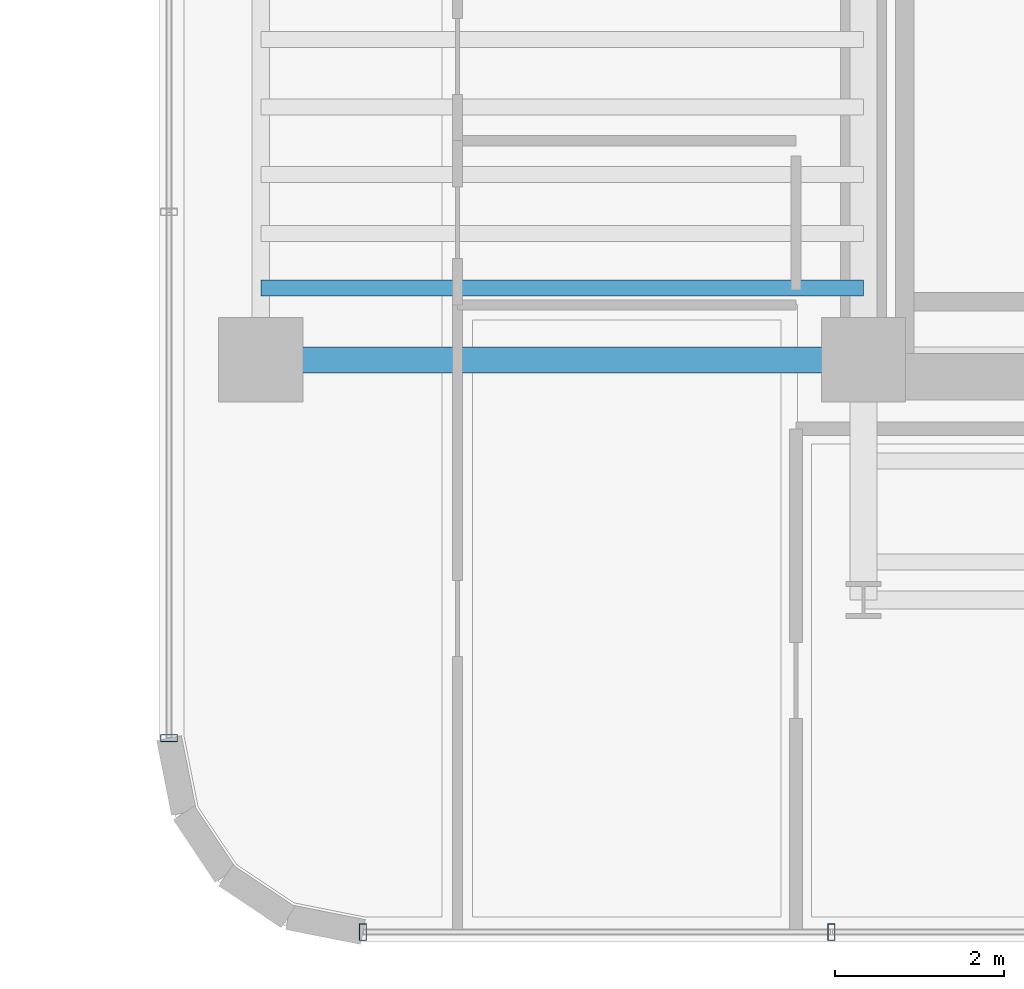
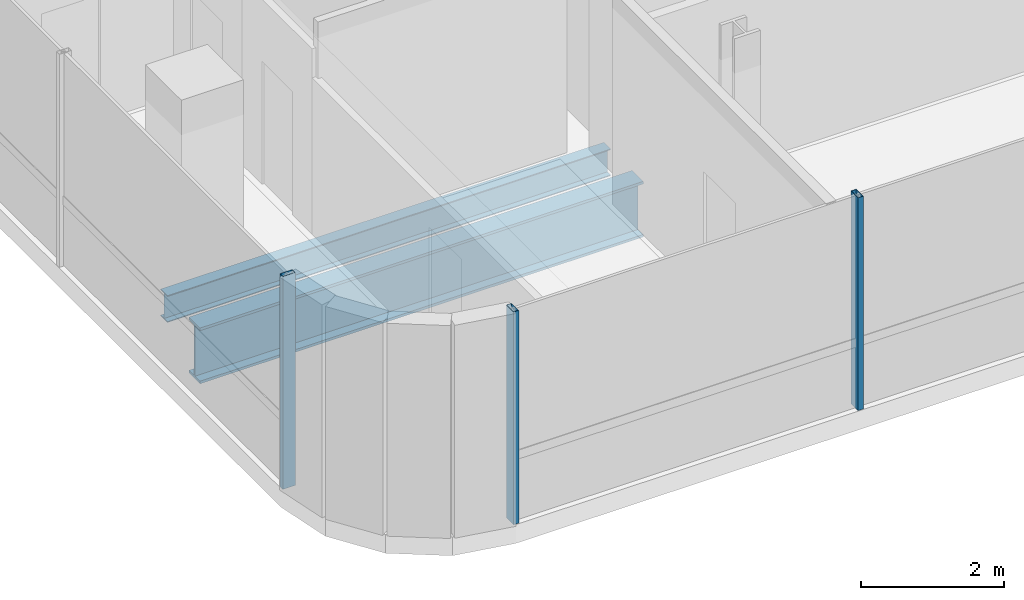
# One storey, part 2 of 38: 3 members, 2 beams, 2 elements without a shape of their own.
"""IFC4 building model written with IfcOpenShell, lengths in metres."""

from ifc_helpers import new_model, si_unit, direction, frame, origin, origin_2d, place, context, subcontext, project, spatial, hollow_rectangle, i_section, extrude, source, transform, mapped, material, material_profile, profile_set, type_object, element, aggregate, save


model = new_model("IFC4")

# Units and contexts
model_context = context("Model", 3, precision=1e-05, world=origin(), true_north=direction((0.0, 1.0)))
body_context = subcontext(model_context, "Body", "Model", "MODEL_VIEW")
ifc_project = project(units=[si_unit("LENGTHUNIT", "METRE"), si_unit("AREAUNIT", "SQUARE_METRE"), si_unit("VOLUMEUNIT", "CUBIC_METRE"), si_unit("PLANEANGLEUNIT", "RADIAN"), si_unit("MASSUNIT", "GRAM", prefix="KILO")], contexts=[model_context])

# Site, building, storey
site_placement = place(None, origin())
site = spatial("IfcSite", under=ifc_project, at=site_placement, CompositionType="ELEMENT")
building_placement = place(site_placement, origin())
building = spatial("IfcBuilding", under=site, at=building_placement, Name="Valdorenza Pilgrim Sanctuary Tower", CompositionType="ELEMENT")
storey_placement = place(building_placement, frame((0.0, 0.0, 180.5)))
storey = spatial("IfcBuildingStorey", under=building, at=storey_placement, Name="L46", CompositionType="ELEMENT", Elevation=180.5)

# Beams
ifc_material_1 = material(Name="Steel ASTM A992 Grade 50", Category="steel")
ifc_material_profile_1 = material_profile(ifc_material_1, i_section(OverallWidth=0.19091796875, OverallDepth=0.45703125, WebThickness=0.009033203125, FlangeThickness=0.014404296875, at=origin_2d()), Name="W18X50")
ifc_profile_set_1 = profile_set([ifc_material_profile_1], Name="Steel ASTM A992 Grade 50")
beam_type_1 = type_object("IfcBeamType", Name="STR-BM-JST-W18B", PredefinedType="JOIST", material=ifc_profile_set_1)
shared_shape_1 = source(origin(), body_context, "Body", "SweptSolid", [
    extrude(i_section(OverallWidth=0.19091796875, OverallDepth=0.45703125, WebThickness=0.009033203125, FlangeThickness=0.014404296875, at=origin_2d()), origin(), (0.0, 0.0, 1.0), 7.150146484375),
])
beam_1_placement = place(storey_placement, frame((-29.800048828125, -9.75, -0.548583984375), z_axis=(1.0, 0.0, 0.0), x_axis=(0.0, 1.0, 0.0)))
element("IfcBeam", 1, at=beam_1_placement, inside=storey, type_object=beam_type_1, Name="L46 Composite Floor Joist JST-WA-1", PredefinedType="JOIST", context=body_context, shape_type="MappedRepresentation", body=[
    mapped(shared_shape_1, transform((0.0, 0.0, 0.0), x_axis=(1.0, 0.0, 0.0), y_axis=(0.0, 1.0, 0.0), z_axis=(0.0, 0.0, 1.0), scale=1.0)),
])
ifc_material_profile_2 = material_profile(ifc_material_1, i_section(OverallWidth=0.31005859375, OverallDepth=0.949951171875, WebThickness=0.0244140625, FlangeThickness=0.0439453125, at=origin_2d()), Name="W36X256")
ifc_profile_set_2 = profile_set([ifc_material_profile_2], Name="Steel ASTM A992 Grade 50")
beam_type_2 = type_object("IfcBeamType", Name="STR-BM-GRD-W36B", PredefinedType="BEAM", material=ifc_profile_set_2)
shared_shape_2 = source(origin(), body_context, "Body", "SweptSolid", [
    extrude(i_section(OverallWidth=0.31005859375, OverallDepth=0.949951171875, WebThickness=0.0244140625, FlangeThickness=0.0439453125, at=origin_2d()), origin(), (0.0, 0.0, 1.0), 7.150146484375),
])
beam_2_placement = place(storey_placement, frame((-29.800048828125, -10.60009765625, -0.794921875), z_axis=(1.0, 0.0, 0.0), x_axis=(0.0, 1.0, 0.0)))
element("IfcBeam", 2, at=beam_2_placement, inside=storey, type_object=beam_type_2, Name="L46 Floor Girder WA-XW-S1", PredefinedType="BEAM", context=body_context, shape_type="MappedRepresentation", body=[
    mapped(shared_shape_2, transform((0.0, 0.0, 0.0), x_axis=(1.0, 0.0, 0.0), y_axis=(0.0, 1.0, 0.0), z_axis=(0.0, 0.0, 1.0), scale=1.0)),
])

# Curtain wall, member
ifc_material_2 = material(Name="Curtain-wall IGU glazing", Category="glass")
curtain_wall_type = type_object("IfcCurtainWallType", Name="CW-SYS-02", PredefinedType="NOTDEFINED", material=ifc_material_2)
curtain_wall_1_placement = place(storey_placement, origin())
curtain_wall_1 = element("IfcCurtainWall", 3, at=curtain_wall_1_placement, inside=storey, type_object=curtain_wall_type, Name="L46 Curtain Wall CW-L46-1-1S1", PredefinedType="NOTDEFINED")
ifc_material_3 = material(Name="Anodised aluminium AW-6060", Category="aluminium")
ifc_material_profile_3 = material_profile(ifc_material_3, hollow_rectangle(XDim=0.0849609375, YDim=0.199951171875, WallThickness=0.0048828125, at=origin_2d()), Name="ALU-M 200x85x5")
ifc_profile_set_3 = profile_set([ifc_material_profile_3], Name="Anodised aluminium AW-6060")
member_type = type_object("IfcMemberType", Name="CW-MUL-02", PredefinedType="MULLION", material=ifc_profile_set_3)
shared_shape_3 = source(origin(), body_context, "Body", "SweptSolid", [
    extrude(hollow_rectangle(XDim=0.0849609375, YDim=0.199951171875, WallThickness=0.0048828125, at=origin_2d()), origin(), (0.0, 0.0, 1.0), 3.6298828125),
])
member_1_placement = place(storey_placement, frame((-30.889892578125, -15.089111328125, 0.0), z_axis=(0.0, 0.0, 1.0), x_axis=(0.0, 1.0, 0.0)))
member_1 = element("IfcMember", 4, at=member_1_placement, type_object=member_type, Name="CW-L46-1-1S1 Mullion 1", PredefinedType="MULLION", context=body_context, shape_type="MappedRepresentation", body=[
    mapped(shared_shape_3, transform((0.0, 0.0, 0.0), x_axis=(1.0, 0.0, 0.0), y_axis=(0.0, 1.0, 0.0), z_axis=(0.0, 0.0, 1.0), scale=1.0)),
])
aggregate(curtain_wall_1, [member_1])

# Curtain wall, members
curtain_wall_2_placement = place(storey_placement, origin())
curtain_wall_2 = element("IfcCurtainWall", 5, at=curtain_wall_2_placement, inside=storey, type_object=curtain_wall_type, Name="L46 Curtain Wall CW-L46-1-82", PredefinedType="NOTDEFINED")
member_2_placement = place(storey_placement, frame((-23.02978515625, -17.389892578125, 0.0), z_axis=(0.0, 0.0, 1.0), x_axis=(-1.0, 0.0, 0.0)))
member_2 = element("IfcMember", 6, at=member_2_placement, type_object=member_type, Name="CW-L46-1-82 Mullion 3", PredefinedType="MULLION", context=body_context, shape_type="MappedRepresentation", body=[
    mapped(shared_shape_3, transform((0.0, 0.0, 0.0), x_axis=(1.0, 0.0, 0.0), y_axis=(0.0, 1.0, 0.0), z_axis=(0.0, 0.0, 1.0), scale=1.0)),
])
member_3_placement = place(storey_placement, frame((-28.589111328125, -17.389892578125, 0.0), z_axis=(0.0, 0.0, 1.0), x_axis=(-1.0, 0.0, 0.0)))
member_3 = element("IfcMember", 7, at=member_3_placement, type_object=member_type, Name="CW-L46-1-82 Mullion 4", PredefinedType="MULLION", context=body_context, shape_type="MappedRepresentation", body=[
    mapped(shared_shape_3, transform((0.0, 0.0, 0.0), x_axis=(1.0, 0.0, 0.0), y_axis=(0.0, 1.0, 0.0), z_axis=(0.0, 0.0, 1.0), scale=1.0)),
])
aggregate(curtain_wall_2, [member_2, member_3])

save(model, "model.ifc")
